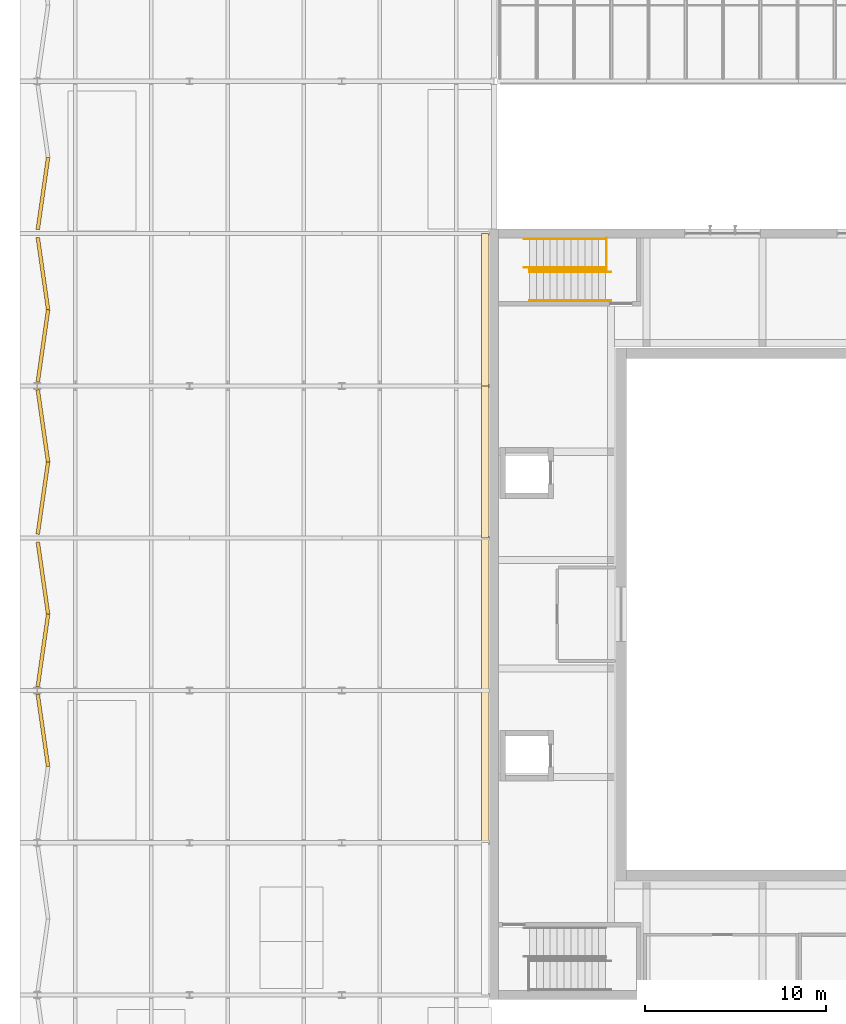
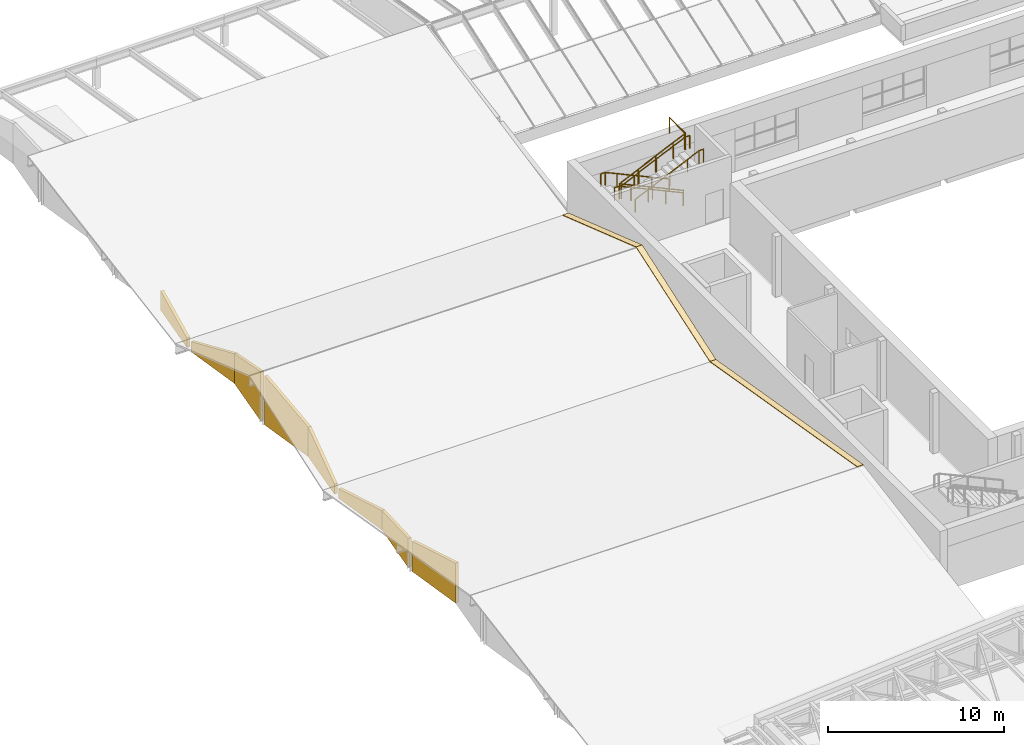
# One storey, part 57 of 60: 11 coverings, 7 railings.
"""IFC4 building model written with IfcOpenShell, lengths in metres."""

import ifcopenshell
import ifcopenshell.guid

model = None  # the IFC model being written
_history = None  # IfcOwnerHistory: only IFC2X3 demands one
_inside = {}  # id of a spatial element -> (the spatial element, [elements in it])
_under = {}  # id of a project, library or spatial element -> (it, [spatial elements below it])
_declared = {}  # id of a project -> (the project, [libraries it declares])
_typed = {}  # id of a type object -> (the type object, [elements of that type])
_made_of = {}  # id of a material, layer set ... -> (it, [elements and type objects made of it])


def new_model(schema):
    """Start an empty IFC model of exactly this schema.

    Asked for "IFC4X3", IfcOpenShell would pick the latest addendum, in which some entities
    have other attributes; the version numbers below select the first issue.
    IFC2X3 requires an IfcOwnerHistory on every rooted entity: one is made here for all.
    """
    global model, _history
    if schema == "IFC4X3":
        model = ifcopenshell.file(schema_version=(4, 3, 0, 0))
    else:
        model = ifcopenshell.file(schema=schema)
    _inside.clear()
    _under.clear()
    _declared.clear()
    _typed.clear()
    _made_of.clear()
    _history = None
    if model.schema == "IFC2X3":
        org = make("IfcOrganization", Name="unknown")
        user = make(
            "IfcPersonAndOrganization",
            ThePerson=make("IfcPerson", FamilyName="unknown"),
            TheOrganization=org,
        )
        app = make(
            "IfcApplication",
            ApplicationDeveloper=org,
            Version="unknown",
            ApplicationFullName="unknown",
            ApplicationIdentifier="unknown",
        )
        _history = make(
            "IfcOwnerHistory",
            OwningUser=user,
            OwningApplication=app,
            ChangeAction="ADDED",
            CreationDate=0,
        )
    return model


def make(cls, **values):
    """One entity of the class cls with the attributes given. An attribute that is None is left unset."""
    return model.create_entity(
        cls, **{name: value for name, value in values.items() if value is not None}
    )


def rooted(cls, **values):
    """An entity with a GlobalId (a new one), such as an element, a storey or a relation."""
    return make(cls, GlobalId=ifcopenshell.guid.new(), OwnerHistory=_history, **values)


def si_unit(unit_type, name, prefix=None):
    """IfcSIUnit, for example si_unit("LENGTHUNIT", "METRE", prefix="MILLI")."""
    return make("IfcSIUnit", UnitType=unit_type, Prefix=prefix, Name=name)


def assignment(units):
    """IfcUnitAssignment: the units of a project."""
    return None if units is None else make("IfcUnitAssignment", Units=units)


def point(xyz):
    """IfcCartesianPoint."""
    return None if xyz is None else make("IfcCartesianPoint", Coordinates=xyz)


def direction(xyz):
    """IfcDirection."""
    return None if xyz is None else make("IfcDirection", DirectionRatios=xyz)


def frame(location, z_axis=None, x_axis=None):
    """IfcAxis2Placement3D, a coordinate frame: its origin and axes. An axis left out is left unset."""
    return make(
        "IfcAxis2Placement3D",
        Location=point(location),
        Axis=direction(z_axis),
        RefDirection=direction(x_axis),
    )


def frame_2d(location, x_axis=None):
    """IfcAxis2Placement2D, a coordinate frame in the plane: its origin and x axis."""
    return make(
        "IfcAxis2Placement2D", Location=point(location), RefDirection=direction(x_axis)
    )


def origin():
    """The frame at (0, 0, 0) with its axes left unset."""
    return frame((0.0, 0.0, 0.0))


def origin_2d():
    """The frame at (0, 0) in the plane with its x axis left unset."""
    return frame_2d((0.0, 0.0))


def place(relative_to, where):
    """IfcLocalPlacement: puts the frame where relative to a parent placement (None: the world)."""
    return make(
        "IfcLocalPlacement", PlacementRelTo=relative_to, RelativePlacement=where
    )


def context(
    kind, dimensions, precision=None, world=None, true_north=None, identifier=None
):
    """IfcGeometricRepresentationContext, for example the 3D "Model" context."""
    return make(
        "IfcGeometricRepresentationContext",
        ContextIdentifier=identifier,
        ContextType=kind,
        CoordinateSpaceDimension=dimensions,
        Precision=precision,
        WorldCoordinateSystem=world,
        TrueNorth=true_north,
    )


def subcontext(parent, identifier, kind, view, scale=None):
    """IfcGeometricRepresentationSubContext, for example "Body" below "Model"."""
    return make(
        "IfcGeometricRepresentationSubContext",
        ContextIdentifier=identifier,
        ContextType=kind,
        ParentContext=parent,
        TargetScale=scale,
        TargetView=view,
    )


def project(units=None, contexts=None):
    """IfcProject with its units and contexts."""
    return rooted(
        "IfcProject",
        Name="project",
        RepresentationContexts=contexts,
        UnitsInContext=assignment(units),
    )


def spatial(cls, under=None, at=None, **own):
    """A site, building, storey or space (cls), placed at a placement, below another one or the project."""
    s = rooted(cls, ObjectPlacement=at, **own)
    if under is not None:
        _under.setdefault(under.id(), (under, []))[1].append(s)
    return s


def polyline(points):
    """IfcPolyline through the points."""
    return make("IfcPolyline", Points=[point(p) for p in points])


def profile(cls, at=None, kind="AREA", **sizes):
    """A parametric profile (cls). Its sizes go by their IFC names, for example OverallWidth=200.0."""
    return make(cls, ProfileType=kind, Position=at, **sizes)


def circle(**sizes):
    """IfcCircleProfileDef."""
    return profile("IfcCircleProfileDef", **sizes)


def outline(outer, holes=None, kind="AREA"):
    """IfcArbitraryClosedProfileDef: a profile drawn as a closed curve; with holes, ...WithVoids."""
    if holes is None:
        return make("IfcArbitraryClosedProfileDef", ProfileType=kind, OuterCurve=outer)
    return make(
        "IfcArbitraryProfileDefWithVoids",
        ProfileType=kind,
        OuterCurve=outer,
        InnerCurves=holes,
    )


def extrude(swept, where, along, depth):
    """IfcExtrudedAreaSolid: the profile swept, set in the frame where, extruded along a direction by depth."""
    return make(
        "IfcExtrudedAreaSolid",
        SweptArea=swept,
        Position=where,
        ExtrudedDirection=direction(along),
        Depth=depth,
    )


def shape(context_of_items, identifier, shape_type, items):
    """IfcShapeRepresentation: the items that make up one representation, for example the "Body"."""
    return make(
        "IfcShapeRepresentation",
        ContextOfItems=context_of_items,
        RepresentationIdentifier=identifier,
        RepresentationType=shape_type,
        Items=items,
    )


def material(Name=None, Category=None):
    """IfcMaterial."""
    return make("IfcMaterial", Name=Name, Category=Category)


def layer(
    of_material, thickness, ventilated=None, Name=None, Category=None, Priority=None
):
    """IfcMaterialLayer: one layer of a wall or slab, of a material (None: an air gap)."""
    return make(
        "IfcMaterialLayer",
        Material=of_material,
        LayerThickness=thickness,
        IsVentilated=ventilated,
        Name=Name,
        Category=Category,
        Priority=Priority,
    )


def layer_set(layers, Name=None):
    """IfcMaterialLayerSet."""
    return make("IfcMaterialLayerSet", MaterialLayers=layers, LayerSetName=Name)


def made_of(thing, what):
    """Note that an element or type object is made of a material, layer set ...; save() writes the relation."""
    if what is not None:
        _made_of.setdefault(what.id(), (what, []))[1].append(thing)
    return thing


def type_object(cls, material=None, **own):
    """A type object (cls), such as IfcWallType, which elements share."""
    return made_of(rooted(cls, **own), material)


def element(
    cls,
    number,
    at=None,
    inside=None,
    cuts=None,
    type_object=None,
    material=None,
    context=None,
    identifier="Body",
    shape_type=None,
    held_by="IfcProductDefinitionShape",
    body=None,
    shapes=None,
    **own,
):
    """One element of the class cls, such as IfcWall. Its Tag is "e" and its number.

    at: its placement. inside: the storey or other place that contains it. cuts: it is an
    opening in that element (IfcRelVoidsElement). A single representation is given by context,
    identifier, shape_type and body (its items); several are given by shapes. held_by: the class
    of the entity that holds the representations. save() writes the other relations.
    """
    e = rooted(cls, Tag="e%d" % number, ObjectPlacement=at, **own)
    if body is not None:
        shapes = [shape(context, identifier, shape_type, body)]
    if shapes is not None:
        e.Representation = make(held_by, Representations=shapes)
    if inside is not None:
        _inside.setdefault(inside.id(), (inside, []))[1].append(e)
    if cuts is not None:
        rooted(
            "IfcRelVoidsElement", RelatingBuildingElement=cuts, RelatedOpeningElement=e
        )
    if type_object is not None:
        _typed.setdefault(type_object.id(), (type_object, []))[1].append(e)
    return made_of(e, material)


def aggregate(whole, parts):
    """IfcRelAggregates: a whole, such as a stair, and the parts it consists of."""
    return rooted("IfcRelAggregates", RelatingObject=whole, RelatedObjects=parts)


def save(model, path):
    """Write the relations noted so far, then the file.

    IfcRelAggregates (storeys below a building ...), IfcRelContainedInSpatialStructure (elements
    in a storey), IfcRelDefinesByType, IfcRelAssociatesMaterial and IfcRelDeclares: one each for
    every whole, place, type object, material and project.
    """
    for whole, parts in _under.values():
        aggregate(whole, parts)
    for where, things in _inside.values():
        rooted(
            "IfcRelContainedInSpatialStructure",
            RelatedElements=things,
            RelatingStructure=where,
        )
    for kind, things in _typed.values():
        rooted("IfcRelDefinesByType", RelatedObjects=things, RelatingType=kind)
    for what, things in _made_of.values():
        rooted("IfcRelAssociatesMaterial", RelatedObjects=things, RelatingMaterial=what)
    for by, libraries in _declared.values():
        rooted("IfcRelDeclares", RelatingContext=by, RelatedDefinitions=libraries)
    model.write(path)


model = new_model("IFC4")

# Units and contexts
model_context = context("Model", 3, precision=1e-05, world=origin(), true_north=direction((0.0, 1.0)))
body_context = subcontext(model_context, "Body", "Model", "MODEL_VIEW")
ifc_project = project(units=[si_unit("LENGTHUNIT", "METRE"), si_unit("AREAUNIT", "SQUARE_METRE"), si_unit("VOLUMEUNIT", "CUBIC_METRE"), si_unit("PLANEANGLEUNIT", "RADIAN"), si_unit("MASSUNIT", "GRAM", prefix="KILO")], contexts=[model_context])

# Site, building, storey
site_placement = place(None, origin())
site = spatial("IfcSite", under=ifc_project, at=site_placement, CompositionType="ELEMENT")
building_placement = place(site_placement, origin())
building = spatial("IfcBuilding", under=site, at=building_placement, Name="Ljudholm Concert House", CompositionType="ELEMENT")
storey_placement = place(building_placement, frame((0.0, 0.0, 15.0)))
storey = spatial("IfcBuildingStorey", under=building, at=storey_placement, Name="L03", CompositionType="ELEMENT", Elevation=15.0)

# Coverings
ifc_material_1 = material(Name="Aluminium flashing", Category="aluminium")
ifc_layer_1 = layer(ifc_material_1, 0.0400390625)
ifc_layer_set_1 = layer_set([ifc_layer_1], Name="Aluminium flashing")
covering_type_1 = type_object("IfcCoveringType", Name="ALUMINIUM FLASHING ROOF COVERING 40", PredefinedType="ROOFING", material=ifc_layer_set_1)
covering_1_placement = place(storey_placement, frame((28.5, 62.800048828125, 3.639892578125), z_axis=(0.0, 0.168274735355, 0.985740134843), x_axis=(1.0, 0.0, 0.0)))
element("IfcCovering", 1, at=covering_1_placement, inside=storey, type_object=covering_type_1, Name="Wall flashing", PredefinedType="ROOFING", context=body_context, shape_type="SweptSolid", body=[
    extrude(outline(polyline([(0.0, 0.0), (0.39990234375, 0.0), (0.39990234375, 17.043080863085514), (0.0, 17.043080863085514), (0.0, 0.0)])), origin(), (0.0, 0.0, -1.0), 0.0400390625),
])
for number, where, z_axis, x_axis, name in (
    (2, (28.5, 79.60009765625, 0.77197265625), (0.0, -0.323109606489, 0.946361549406), (1.0, 0.0, 0.0), "Wall flashing"),
    (3, (28.5, 88.0, 3.639892578125), (0.0, 0.323109606489, 0.946361549406), (1.0, 0.0, 0.0), "Wall flashing"),
):
    element("IfcCovering", number, at=place(storey_placement, frame(where, z_axis=z_axis, x_axis=x_axis)), inside=storey, type_object=covering_type_1, Name=name, PredefinedType="ROOFING", context=body_context, shape_type="SweptSolid", body=[
        extrude(outline(polyline([(0.0, 0.0), (0.39990234375, 0.0), (0.39990234375, 8.875997074291105), (0.0, 8.875997074291105), (0.0, 0.0)])), origin(), (0.0, 0.0, -1.0), 0.0400390625),
    ])
ifc_material_2 = material(Name="Aluminium panels with timber-grain PVDF finish", Category="aluminium")
ifc_layer_2 = layer(ifc_material_2, 0.199951171875)
ifc_layer_set_2 = layer_set([ifc_layer_2], Name="Aluminium panels with timber-grain PVDF finish")
covering_type_2 = type_object("IfcCoveringType", Name="ALUMINIUM PANELS WITH TIMBER-GRAIN PVDF FINISH CLADDING 200", PredefinedType="CLADDING", material=ifc_layer_set_2)
covering_2_placement = place(storey_placement, frame((4.031005859375, 70.982177734375, -15.0), z_axis=(0.0, 0.0, 1.0), x_axis=(0.141421356235, -0.989949493662, 0.0)))
element("IfcCovering", 4, at=covering_2_placement, inside=storey, type_object=covering_type_2, Name="Gable end cladding", PredefinedType="CLADDING", context=body_context, shape_type="SweptSolid", body=[
    extrude(outline(polyline([(0.0, 15.0), (4.022705078125, 15.0), (4.022705078125, 17.781494140625), (0.0, 17.101806640625), (0.0, 15.0)])), frame((0.0, 0.10009765625, 0.0), z_axis=(0.0, -1.0, 0.0), x_axis=(1.0, 0.0, 0.0)), (0.0, 0.0, 1.0), 0.199951171875),
])
covering_3_placement = place(storey_placement, frame((4.031005859375, 71.417724609375, -15.0), z_axis=(0.0, 0.0, 1.0), x_axis=(0.141421356235, 0.989949493662, 0.0)))
element("IfcCovering", 5, at=covering_3_placement, inside=storey, type_object=covering_type_2, Name="Gable end cladding", PredefinedType="CLADDING", context=body_context, shape_type="SweptSolid", body=[
    extrude(outline(polyline([(0.0, 15.0), (4.022705078125, 15.0), (4.022705078125, 16.34765625), (0.0, 17.02734375), (0.0, 15.0)])), frame((0.0, 0.10009765625, 0.0), z_axis=(0.0, -1.0, 0.0), x_axis=(1.0, 0.0, 0.0)), (0.0, 0.0, 1.0), 0.199951171875),
])
covering_4_placement = place(storey_placement, frame((4.031005859375, 79.38232421875, -15.0), z_axis=(0.0, 0.0, 1.0), x_axis=(0.141421356235, -0.989949493662, 0.0)))
element("IfcCovering", 6, at=covering_4_placement, inside=storey, type_object=covering_type_2, Name="Gable end cladding", PredefinedType="CLADDING", context=body_context, shape_type="SweptSolid", body=[
    extrude(outline(polyline([(0.0, 15.0), (4.022705078125, 15.0), (4.022705078125, 16.34765625), (0.0, 15.667724609375), (0.0, 15.0)])), frame((0.0, 0.10009765625, 0.0), z_axis=(0.0, -1.0, 0.0), x_axis=(1.0, 0.0, 0.0)), (0.0, 0.0, 1.0), 0.199951171875),
])
covering_5_placement = place(storey_placement, frame((4.031005859375, 79.81787109375, -15.0), z_axis=(0.0, 0.0, 1.0), x_axis=(0.141421356235, 0.989949493662, 0.0)))
element("IfcCovering", 7, at=covering_5_placement, inside=storey, type_object=covering_type_2, Name="Gable end cladding", PredefinedType="CLADDING", context=body_context, shape_type="SweptSolid", body=[
    extrude(outline(polyline([(0.0, 15.0), (4.022705078125, 15.0), (4.022705078125, 17.060302734375), (0.0, 15.70068359375), (0.0, 15.0)])), frame((0.0, 0.10009765625, 0.0), z_axis=(0.0, -1.0, 0.0), x_axis=(1.0, 0.0, 0.0)), (0.0, 0.0, 1.0), 0.199951171875),
])
for number, where, z_axis, x_axis, name in (
    (8, (4.031005859375, 87.7822265625, -15.0), (0.0, 0.0, 1.0), (0.141421356235, -0.989949493662, 0.0), "Gable end cladding"),
    (9, (4.031005859375, 88.2177734375, -15.0), (0.0, 0.0, 1.0), (0.141421356235, 0.989949493662, 0.0), "Gable end cladding"),
):
    element("IfcCovering", number, at=place(storey_placement, frame(where, z_axis=z_axis, x_axis=x_axis)), inside=storey, type_object=covering_type_2, Name=name, PredefinedType="CLADDING", context=body_context, shape_type="SweptSolid", body=[
        extrude(outline(polyline([(0.0, 15.0), (4.022705078125, 15.0), (4.022705078125, 17.060302734375), (0.0, 18.419921875), (0.0, 15.0)])), frame((0.0, 0.10009765625, 0.0), z_axis=(0.0, -1.0, 0.0), x_axis=(1.0, 0.0, 0.0)), (0.0, 0.0, 1.0), 0.199951171875),
    ])
covering_6_placement = place(storey_placement, frame((4.031005859375, 96.18212890625, -15.0), z_axis=(0.0, 0.0, 1.0), x_axis=(0.141421356235, -0.989949493662, 0.0)))
element("IfcCovering", 10, at=covering_6_placement, inside=storey, type_object=covering_type_2, Name="Gable end cladding", PredefinedType="CLADDING", context=body_context, shape_type="SweptSolid", body=[
    extrude(outline(polyline([(0.0, 15.0), (4.022705078125, 15.0), (4.022705078125, 17.060302734375), (0.0, 15.70068359375), (0.0, 15.0)])), frame((0.0, 0.10009765625, 0.0), z_axis=(0.0, -1.0, 0.0), x_axis=(1.0, 0.0, 0.0)), (0.0, 0.0, 1.0), 0.199951171875),
])
covering_7_placement = place(storey_placement, frame((4.031005859375, 96.61767578125, -15.0), z_axis=(0.0, 0.0, 1.0), x_axis=(0.141421356235, 0.989949493662, 0.0)))
element("IfcCovering", 11, at=covering_7_placement, inside=storey, type_object=covering_type_2, Name="Gable end cladding", PredefinedType="CLADDING", context=body_context, shape_type="SweptSolid", body=[
    extrude(outline(polyline([(0.0, 15.0), (4.022705078125, 15.0), (4.022705078125, 16.34765625), (0.0, 15.667724609375), (0.0, 15.0)])), frame((0.0, 0.10009765625, 0.0), z_axis=(0.0, -1.0, 0.0), x_axis=(1.0, 0.0, 0.0)), (0.0, 0.0, 1.0), 0.199951171875),
])

# Railings
ifc_material_3 = material(Name="Steel ASTM A36", Category="steel")
railing_type_1 = type_object("IfcRailingType", Name="GUARD 1100", PredefinedType="GUARDRAIL", material=ifc_material_3)
railing_1_placement = place(storey_placement, frame((35.35009765625, 94.47509765625, 0.175048828125)))
element("IfcRailing", 12, at=railing_1_placement, inside=storey, type_object=railing_type_1, Name="Guard", PredefinedType="GUARDRAIL", context=body_context, shape_type="SweptSolid", body=[
    extrude(circle(Radius=0.02490234375, at=origin_2d()), frame((0.0, 0.0, 1.0751953125), z_axis=(-0.909101513409, 0.0, 0.416574649154), x_axis=(0.0, -1.0, 0.0)), (0.0, 0.0, 1.0), 1.260009765625),
    extrude(circle(Radius=0.02490234375, at=origin_2d()), frame((-1.1455078125, 0.0, 1.60009765625), z_axis=(-0.909028128292, 0.0, 0.416734762139), x_axis=(0.0, -1.0, 0.0)), (0.0, 0.0, 1.0), 1.26025390625),
    extrude(circle(Radius=0.02490234375, at=origin_2d()), frame((-2.291015625, 0.0, 2.125), z_axis=(-0.909101513409, 0.0, 0.416574649154), x_axis=(0.0, -1.0, 0.0)), (0.0, 0.0, 1.0), 1.260009765625),
    extrude(circle(Radius=0.02490234375, at=origin_2d()), frame((-3.4365234375, 0.0, 2.64990234375), z_axis=(-0.909028128292, 0.0, 0.416734762139), x_axis=(0.0, -1.0, 0.0)), (0.0, 0.0, 1.0), 0.840087890625),
    extrude(circle(Radius=0.02099609375, at=origin_2d()), origin(), (0.0, 0.0, 1.0), 1.050048828125),
    extrude(circle(Radius=0.02099609375, at=origin_2d()), frame((-1.1455078125, 0.0, 0.52490234375)), (0.0, 0.0, 1.0), 1.050048828125),
    extrude(circle(Radius=0.02099609375, at=origin_2d()), frame((-2.291015625, 0.0, 1.050048828125)), (0.0, 0.0, 1.0), 1.050048828125),
    extrude(circle(Radius=0.02099609375, at=origin_2d()), frame((-3.4365234375, 0.0, 1.574951171875)), (0.0, 0.0, 1.0), 1.050048828125),
    extrude(circle(Radius=0.02099609375, at=origin_2d()), frame((-4.2001953125, 0.0, 1.925048828125)), (0.0, 0.0, 1.0), 1.050048828125),
])
railing_2_placement = place(storey_placement, frame((31.14990234375, 94.324951171875, 2.27490234375)))
element("IfcRailing", 13, at=railing_2_placement, inside=storey, type_object=railing_type_1, Name="Guard", PredefinedType="GUARDRAIL", context=body_context, shape_type="SweptSolid", body=[
    extrude(circle(Radius=0.02490234375, at=origin_2d()), frame((0.0, 0.0, 1.0751953125), z_axis=(0.909028128292, 0.0, 0.416734762139), x_axis=(0.0, 1.0, 0.0)), (0.0, 0.0, 1.0), 1.26025390625),
    extrude(circle(Radius=0.02490234375, at=origin_2d()), frame((1.1455078125, 0.0, 1.60009765625), z_axis=(0.909101513409, 0.0, 0.416574649154), x_axis=(0.0, 1.0, 0.0)), (0.0, 0.0, 1.0), 1.260009765625),
    extrude(circle(Radius=0.02490234375, at=origin_2d()), frame((2.291015625, 0.0, 2.125), z_axis=(0.909028128292, 0.0, 0.416734762139), x_axis=(0.0, 1.0, 0.0)), (0.0, 0.0, 1.0), 1.26025390625),
    extrude(circle(Radius=0.02490234375, at=origin_2d()), frame((3.4365234375, 0.0, 2.650390625), z_axis=(0.909138199833, 0.0, 0.416494578121), x_axis=(0.0, 1.0, 0.0)), (0.0, 0.0, 1.0), 0.840087890625),
    extrude(circle(Radius=0.02099609375, at=origin_2d()), origin(), (0.0, 0.0, 1.0), 1.050048828125),
    extrude(circle(Radius=0.02099609375, at=origin_2d()), frame((1.1455078125, 0.0, 0.525146484375)), (0.0, 0.0, 1.0), 1.050048828125),
    extrude(circle(Radius=0.02099609375, at=origin_2d()), frame((2.291015625, 0.0, 1.050048828125)), (0.0, 0.0, 1.0), 1.050048828125),
    extrude(circle(Radius=0.02099609375, at=origin_2d()), frame((3.4365234375, 0.0, 1.5751953125)), (0.0, 0.0, 1.0), 1.050048828125),
    extrude(circle(Radius=0.02099609375, at=origin_2d()), frame((4.2001953125, 0.0, 1.925048828125)), (0.0, 0.0, 1.0), 1.050048828125),
])
railing_3_placement = place(storey_placement, frame((35.39990234375, 96.14990234375, 4.199951171875)))
element("IfcRailing", 14, at=railing_3_placement, inside=storey, type_object=railing_type_1, Name="Guard", PredefinedType="GUARDRAIL", context=body_context, shape_type="SweptSolid", body=[
    extrude(circle(Radius=0.02490234375, at=origin_2d()), frame((0.0, 0.0, 1.0751953125), z_axis=(0.0, -1.0, 0.0), x_axis=(1.0, 0.0, 0.0)), (0.0, 0.0, 1.0), 1.7998046875),
    extrude(circle(Radius=0.02099609375, at=origin_2d()), origin(), (0.0, 0.0, 1.0), 1.050048828125),
    extrude(circle(Radius=0.02099609375, at=origin_2d()), frame((0.0, -1.7998046875, 0.0)), (0.0, 0.0, 1.0), 1.050048828125),
])
ifc_material_4 = material(Name="Steel ASTM A36", Category="steel")
railing_type_2 = type_object("IfcRailingType", Name="HANDRAIL 900", PredefinedType="HANDRAIL", material=ifc_material_4)
for number, where, name in (
    (15, (35.35009765625, 94.52490234375, 0.175048828125), "Handrail"),
    (16, (35.35009765625, 96.10009765625, 0.175048828125), "Handrail"),
):
    element("IfcRailing", number, at=place(storey_placement, frame(where)), inside=storey, type_object=railing_type_2, Name=name, PredefinedType="HANDRAIL", context=body_context, shape_type="SweptSolid", body=[
        extrude(circle(Radius=0.0224609375, at=origin_2d()), frame((0.0, 0.0, 0.87744140625), z_axis=(-0.909101513409, 0.0, 0.416574649154), x_axis=(0.0, -1.0, 0.0)), (0.0, 0.0, 1.0), 1.260009765625),
        extrude(circle(Radius=0.0224609375, at=origin_2d()), frame((-1.1455078125, 0.0, 1.40234375), z_axis=(-0.909028128292, 0.0, 0.416734762139), x_axis=(0.0, -1.0, 0.0)), (0.0, 0.0, 1.0), 1.26025390625),
        extrude(circle(Radius=0.0224609375, at=origin_2d()), frame((-2.291015625, 0.0, 1.927490234375), z_axis=(-0.909101513409, 0.0, 0.416574649154), x_axis=(0.0, -1.0, 0.0)), (0.0, 0.0, 1.0), 1.260009765625),
        extrude(circle(Radius=0.0224609375, at=origin_2d()), frame((-3.4365234375, 0.0, 2.452392578125), z_axis=(-0.909028128292, 0.0, 0.416734762139), x_axis=(0.0, -1.0, 0.0)), (0.0, 0.0, 1.0), 0.840087890625),
        extrude(circle(Radius=0.0224609375, at=origin_2d()), frame((-4.2001953125, 0.0, 2.802490234375), z_axis=(-1.0, 0.0, 0.0), x_axis=(0.0, -1.0, 0.0)), (0.0, 0.0, 1.0), 0.2998046875),
        extrude(circle(Radius=0.02099609375, at=origin_2d()), origin(), (0.0, 0.0, 1.0), 0.85498046875),
        extrude(circle(Radius=0.02099609375, at=origin_2d()), frame((-1.1455078125, 0.0, 0.52490234375)), (0.0, 0.0, 1.0), 0.85498046875),
        extrude(circle(Radius=0.02099609375, at=origin_2d()), frame((-2.291015625, 0.0, 1.050048828125)), (0.0, 0.0, 1.0), 0.85498046875),
        extrude(circle(Radius=0.02099609375, at=origin_2d()), frame((-3.4365234375, 0.0, 1.574951171875)), (0.0, 0.0, 1.0), 0.85498046875),
        extrude(circle(Radius=0.02099609375, at=origin_2d()), frame((-4.2001953125, 0.0, 1.925048828125)), (0.0, 0.0, 1.0), 0.85498046875),
        extrude(circle(Radius=0.02099609375, at=origin_2d()), frame((-4.5, 0.0, 1.925048828125)), (0.0, 0.0, 1.0), 0.85498046875),
    ])
for number, where, name in (
    (17, (31.14990234375, 94.27490234375, 2.27490234375), "Handrail"),
    (18, (31.14990234375, 92.699951171875, 2.27490234375), "Handrail"),
):
    element("IfcRailing", number, at=place(storey_placement, frame(where)), inside=storey, type_object=railing_type_2, Name=name, PredefinedType="HANDRAIL", context=body_context, shape_type="SweptSolid", body=[
        extrude(circle(Radius=0.0224609375, at=origin_2d()), frame((0.0, 0.0, 0.87744140625), z_axis=(0.909028128292, 0.0, 0.416734762139), x_axis=(0.0, 1.0, 0.0)), (0.0, 0.0, 1.0), 1.26025390625),
        extrude(circle(Radius=0.0224609375, at=origin_2d()), frame((1.1455078125, 0.0, 1.402587890625), z_axis=(0.909101513409, 0.0, 0.416574649154), x_axis=(0.0, 1.0, 0.0)), (0.0, 0.0, 1.0), 1.260009765625),
        extrude(circle(Radius=0.0224609375, at=origin_2d()), frame((2.291015625, 0.0, 1.927490234375), z_axis=(0.909028128292, 0.0, 0.416734762139), x_axis=(0.0, 1.0, 0.0)), (0.0, 0.0, 1.0), 1.26025390625),
        extrude(circle(Radius=0.0224609375, at=origin_2d()), frame((3.4365234375, 0.0, 2.45263671875), z_axis=(0.909138199833, 0.0, 0.416494578121), x_axis=(0.0, 1.0, 0.0)), (0.0, 0.0, 1.0), 0.840087890625),
        extrude(circle(Radius=0.0224609375, at=origin_2d()), frame((4.2001953125, 0.0, 2.802490234375), z_axis=(1.0, 0.0, 0.0), x_axis=(0.0, 1.0, 0.0)), (0.0, 0.0, 1.0), 0.2998046875),
        extrude(circle(Radius=0.02099609375, at=origin_2d()), origin(), (0.0, 0.0, 1.0), 0.85498046875),
        extrude(circle(Radius=0.02099609375, at=origin_2d()), frame((1.1455078125, 0.0, 0.525146484375)), (0.0, 0.0, 1.0), 0.85498046875),
        extrude(circle(Radius=0.02099609375, at=origin_2d()), frame((2.291015625, 0.0, 1.050048828125)), (0.0, 0.0, 1.0), 0.85498046875),
        extrude(circle(Radius=0.02099609375, at=origin_2d()), frame((3.4365234375, 0.0, 1.5751953125)), (0.0, 0.0, 1.0), 0.85498046875),
        extrude(circle(Radius=0.02099609375, at=origin_2d()), frame((4.2001953125, 0.0, 1.925048828125)), (0.0, 0.0, 1.0), 0.85498046875),
        extrude(circle(Radius=0.02099609375, at=origin_2d()), frame((4.5, 0.0, 1.925048828125)), (0.0, 0.0, 1.0), 0.85498046875),
    ])

save(model, "model.ifc")
